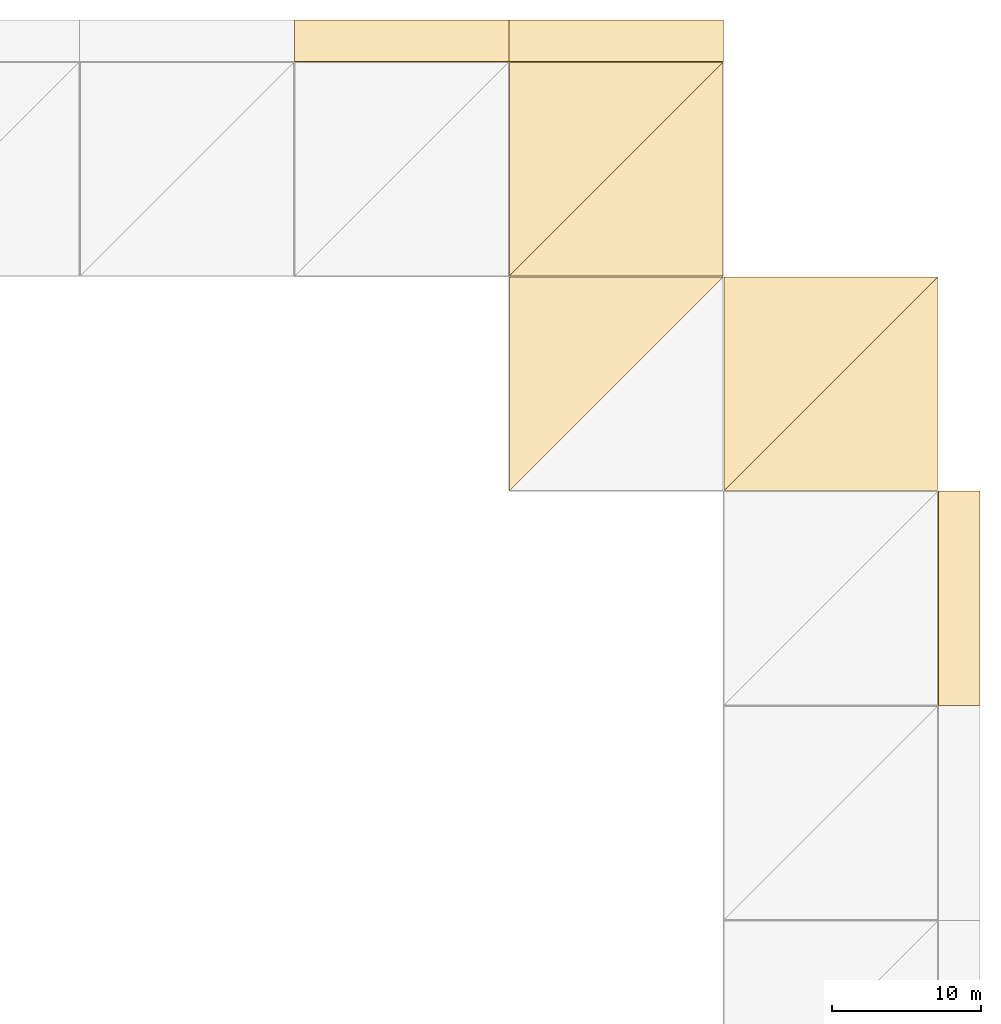
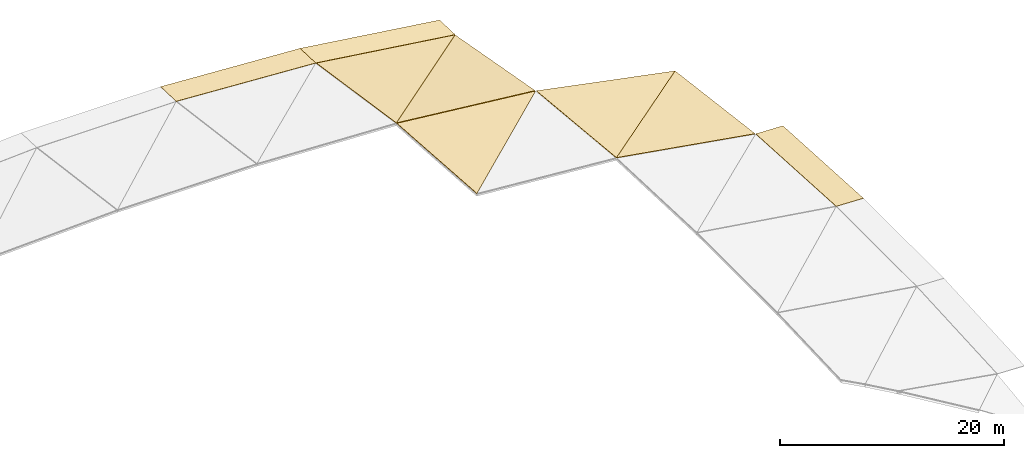
# One storey, part 3 of 3: 8 coverings.
"""IFC4 building model written with IfcOpenShell, lengths in metres."""

from ifc_helpers import new_model, si_unit, direction, frame, origin, place, context, subcontext, project, spatial, polyline, outline, extrude, material, layer, layer_set, type_object, element, save


model = new_model("IFC4")

# Units and contexts
model_context = context("Model", 3, precision=1e-05, world=origin(), true_north=direction((0.0, 1.0)))
body_context = subcontext(model_context, "Body", "Model", "MODEL_VIEW")
ifc_project = project(units=[si_unit("LENGTHUNIT", "METRE"), si_unit("AREAUNIT", "SQUARE_METRE"), si_unit("VOLUMEUNIT", "CUBIC_METRE"), si_unit("PLANEANGLEUNIT", "RADIAN"), si_unit("MASSUNIT", "GRAM", prefix="KILO")], contexts=[model_context])

# Site, building, storey
site_placement = place(None, origin())
site = spatial("IfcSite", under=ifc_project, at=site_placement, CompositionType="ELEMENT")
building_placement = place(site_placement, origin())
building = spatial("IfcBuilding", under=site, at=building_placement, Name="Qandorah Velis Arena", CompositionType="ELEMENT")
storey_placement = place(building_placement, frame((0.0, 0.0, 32.199951171875)))
storey = spatial("IfcBuildingStorey", under=building, at=storey_placement, Name="MAIN ROOF", CompositionType="ELEMENT", Elevation=32.199951171875)

# Coverings
ifc_material = material(Name="Insulated high-albedo standing-seam aluminium roofing", Category="aluminium")
ifc_layer = layer(ifc_material, 0.080078125)
ifc_layer_set = layer_set([ifc_layer], Name="Insulated high-albedo standing-seam aluminium roofing")
covering_type = type_object("IfcCoveringType", Name="ARC-COV-ROOF", PredefinedType="ROOFING", material=ifc_layer_set)
covering_1_placement = place(storey_placement, frame((72.0, 115.199951171875, 3.505859375), z_axis=(0.059341608788, 0.035619324859, 0.997602043484), x_axis=(0.998235492636, 3.00695e-07, -0.059379299772)))
element("IfcCovering", 1, at=covering_1_placement, inside=storey, type_object=covering_type, Name="Overhanging arena eave roof panel N-5", PredefinedType="ROOFING", context=body_context, shape_type="SweptSolid", body=[
    extrude(outline(polyline([(0.0, 0.0), (14.42536322987406, 6.938893903907228e-18), (14.431293303672549, 2.8018224397455707), (0.005944570697848084, 2.801831120521072), (0.0, 0.0)])), origin(), (0.0, 0.0, -1.0), 0.06005859375),
])
covering_2_placement = place(storey_placement, frame((115.199951171875, 72.0, 3.12060546875), z_axis=(0.03558080611, 0.05697320037, 0.997741479882), x_axis=(0.999364739976, 0.0, -0.035638693753)))
element("IfcCovering", 2, at=covering_2_placement, inside=storey, type_object=covering_type, Name="Overhanging arena eave roof panel E-5", PredefinedType="ROOFING", context=body_context, shape_type="SweptSolid", body=[
    extrude(outline(polyline([(0.0, 0.0), (2.8018287179031587, 8.673617379884035e-19), (2.8311331906959443, 14.423330042520268), (0.02930447279278539, 14.423330042520268), (0.0, 0.0)])), origin(), (0.0, 0.0, -1.0), 0.06005859375),
])
covering_3_placement = place(storey_placement, frame((86.39990234375, 115.199951171875, 2.649169921875), z_axis=(0.133922144591, 0.035317655277, 0.990362318757), x_axis=(0.990980554849, 0.0, -0.134005745816)))
element("IfcCovering", 3, at=covering_3_placement, inside=storey, type_object=covering_type, Name="Overhanging arena eave roof panel N-6", PredefinedType="ROOFING", context=body_context, shape_type="SweptSolid", body=[
    extrude(outline(polyline([(0.0, 0.0), (14.531209935368917, 0.0), (14.544590880202609, 2.801796765431464), (0.013380944833691608, 2.8017967654314644), (0.0, 0.0)])), origin(), (0.0, 0.0, -1.0), 0.06005859375),
])
covering_4_placement = place(storey_placement, frame((86.43994140625, 86.43994140625, 5.835205078125), z_axis=(0.102844634437, 0.070959414715, 0.992163163311), x_axis=(0.701743683446, 0.701743683446, -0.122929270265)))
element("IfcCovering", 4, at=covering_4_placement, inside=storey, type_object=covering_type, Name="Arena vaulted roof covering 5.5B", PredefinedType="ROOFING", context=body_context, shape_type="SweptSolid", body=[
    extrude(outline(polyline([(0.0, 0.0), (20.406408632079554, 6.38378239159465e-16), (10.174917978826654, 10.128392072298375), (0.0, 0.0)])), origin(), (0.0, 0.0, -1.0), 0.054931640625),
])
covering_5_placement = place(storey_placement, frame((86.43994140625, 100.840087890625, 4.802490234375), z_axis=(0.101615295224, 0.177533575371, 0.978854514927), x_axis=(0.99465486191, 0.0, -0.103255535831)))
element("IfcCovering", 5, at=covering_5_placement, inside=storey, type_object=covering_type, Name="Arena vaulted roof covering 5.6A", PredefinedType="ROOFING", context=body_context, shape_type="SweptSolid", body=[
    extrude(outline(polyline([(0.0, 0.0), (14.39702243236769, 0.0), (14.66519440262407, 14.550970101961202), (0.0, 0.0)])), origin(), (0.0, 0.0, -1.0), 0.054931640625),
])
covering_6_placement = place(storey_placement, frame((86.43994140625, 100.840087890625, 4.802490234375), z_axis=(0.132438958818, 0.147097487718, 0.980215410659), x_axis=(0.693160120712, 0.693148303133, -0.197672650911)))
element("IfcCovering", 6, at=covering_6_placement, inside=storey, type_object=covering_type, Name="Arena vaulted roof covering 5.6B", PredefinedType="ROOFING", context=body_context, shape_type="SweptSolid", body=[
    extrude(outline(polyline([(0.0, 0.0), (20.659105928740605, -1.3739009929736312e-15), (10.350545714178, 10.126275282053683), (0.0, 0.0)])), origin(), (0.0, 0.0, -1.0), 0.054931640625),
])
covering_7_placement = place(storey_placement, frame((100.840087890625, 86.43994140625, 4.700439453125), z_axis=(0.163765127586, 0.124957201863, 0.978553361186), x_axis=(0.986283722051, 0.0, -0.165058836834)))
element("IfcCovering", 7, at=covering_7_placement, inside=storey, type_object=covering_type, Name="Arena vaulted roof covering 6.5A", PredefinedType="ROOFING", context=body_context, shape_type="SweptSolid", body=[
    extrude(outline(polyline([(0.0, 0.0), (14.518970453014846, 5.551115123125783e-17), (14.820799234236944, 14.433193816212782), (0.0, 0.0)])), origin(), (0.0, 0.0, -1.0), 0.054931640625),
])
covering_8_placement = place(storey_placement, frame((100.840087890625, 86.43994140625, 4.700439453125), z_axis=(0.193640969712, 0.094479732433, 0.976512547287), x_axis=(0.692196522648, 0.692208324, -0.204234204333)))
element("IfcCovering", 8, at=covering_8_placement, inside=storey, type_object=covering_type, Name="Arena vaulted roof covering 6.5B", PredefinedType="ROOFING", context=body_context, shape_type="SweptSolid", body=[
    extrude(outline(polyline([(0.0, 0.0), (20.68751250580701, -3.3306690738754696e-16), (10.195436609817568, 10.1507159841195), (0.0, 0.0)])), origin(), (0.0, 0.0, -1.0), 0.054931640625),
])

save(model, "model.ifc")
